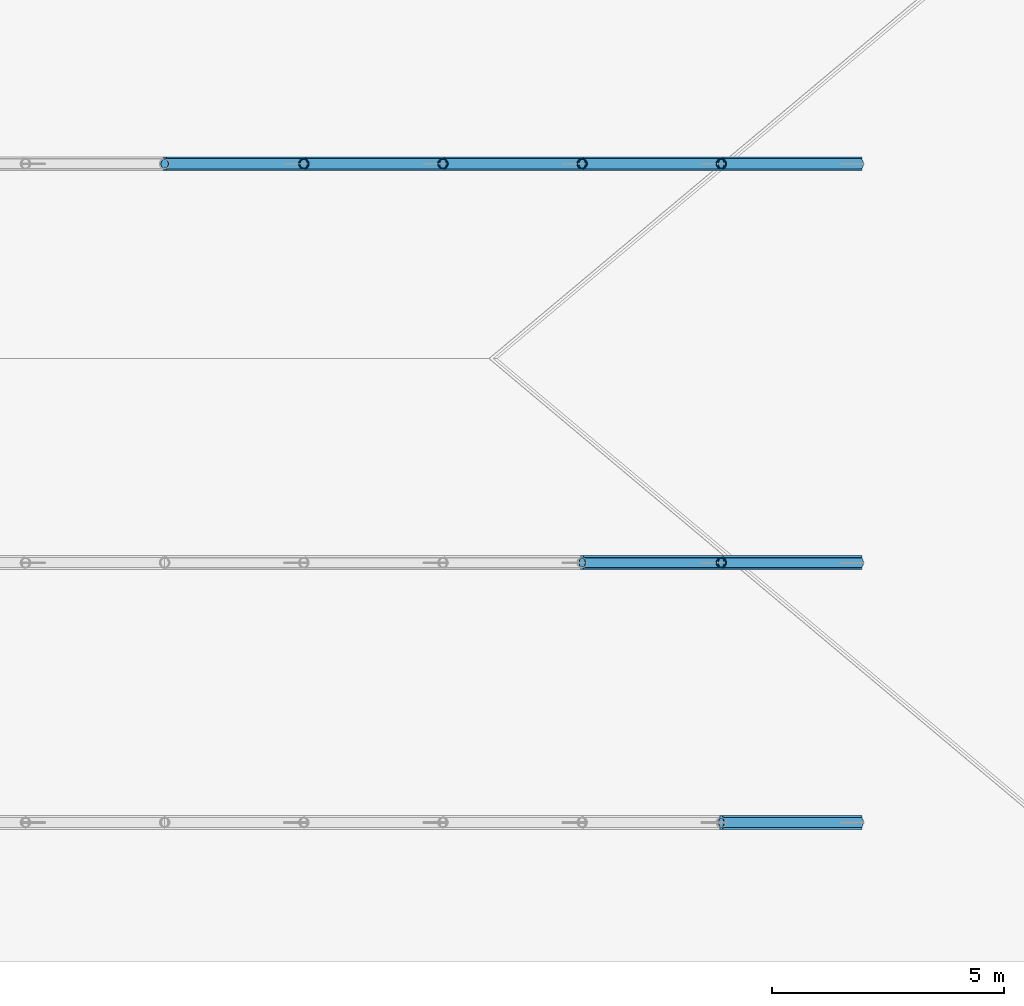
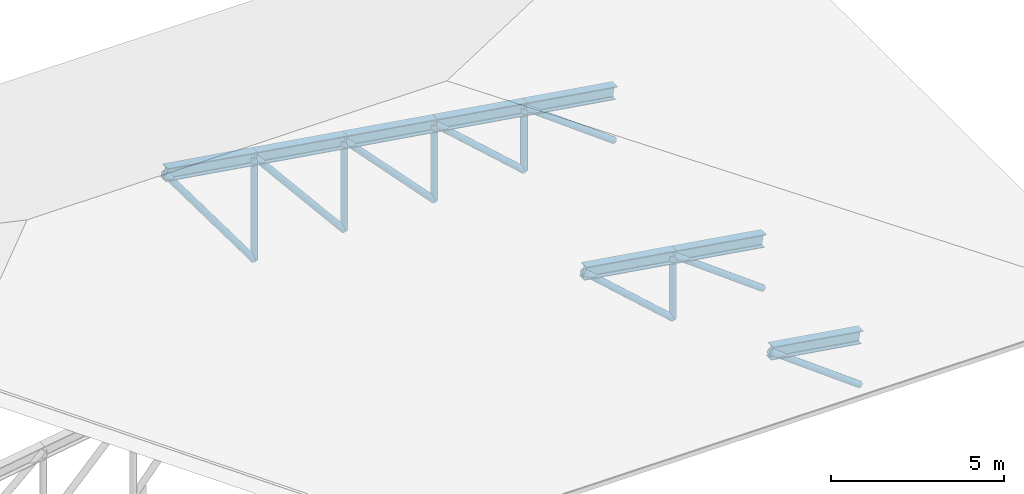
# One storey, part 2 of 6: 21 members.
"""IFC4 building model written with IfcOpenShell, lengths in metres."""

from ifc_helpers import new_model, si_unit, direction, frame, origin, origin_2d, place, context, subcontext, project, spatial, hollow_circle, i_section, extrude, material, material_profile, profile_set, type_object, element, save


model = new_model("IFC4")

# Units and contexts
model_context = context("Model", 3, precision=1e-05, world=origin(), true_north=direction((0.0, 1.0)))
body_context = subcontext(model_context, "Body", "Model", "MODEL_VIEW")
ifc_project = project(units=[si_unit("LENGTHUNIT", "METRE"), si_unit("AREAUNIT", "SQUARE_METRE"), si_unit("VOLUMEUNIT", "CUBIC_METRE"), si_unit("PLANEANGLEUNIT", "RADIAN"), si_unit("MASSUNIT", "GRAM", prefix="KILO")], contexts=[model_context])

# Site, building, storey
site_placement = place(None, origin())
site = spatial("IfcSite", under=ifc_project, at=site_placement, CompositionType="ELEMENT")
building_placement = place(site_placement, origin())
building = spatial("IfcBuilding", under=site, at=building_placement, Name="Muzn Square Opera House", CompositionType="ELEMENT")
storey_placement = place(building_placement, frame((0.0, 0.0, 35.39990234375)))
storey = spatial("IfcBuildingStorey", under=building, at=storey_placement, Name="RF-2", CompositionType="ELEMENT", Elevation=35.39990234375)

# Members
ifc_material = material(Name="Steel S355", Category="steel")
ifc_material_profile_1 = material_profile(ifc_material, i_section(OverallWidth=0.300048828125, OverallDepth=0.449951171875, WebThickness=0.013916015625, FlangeThickness=0.02587890625, FilletRadius=0.027099609375, at=origin_2d()), Name="HEB 450", Category="steel")
ifc_profile_set_1 = profile_set([ifc_material_profile_1], Name="Steel S355")
member_type_1 = type_object("IfcMemberType", Name="Stage Truss Chord HEB450", PredefinedType="CHORD", material=ifc_profile_set_1)
for number, where, z_axis, x_axis, name in (
    (1, (100.0, 75.60009765625, 0.22021484375), (0.987938344144, 0.0, -0.154847758042), (0.0, 1.0, 0.0), "Stage Roof Truss Top Chord T1-9"),
    (2, (97.0, 81.199951171875, 0.690185546875), (0.987950640565, 0.0, -0.154769285733), (0.0, 1.0, 0.0), "Stage Roof Truss Top Chord T2-8"),
    (3, (100.0, 81.199951171875, 0.22021484375), (0.987938344144, 0.0, -0.154847758042), (0.0, 1.0, 0.0), "Stage Roof Truss Top Chord T2-9"),
    (4, (88.0, 89.800048828125, 2.10009765625), (0.987950640565, 0.0, -0.154769285733), (0.0, 1.0, 0.0), "Stage Roof Truss Top Chord T3-5"),
    (5, (91.0, 89.800048828125, 1.630126953125), (0.987950640565, 0.0, -0.154769285733), (0.0, 1.0, 0.0), "Stage Roof Truss Top Chord T3-6"),
    (6, (94.0, 89.800048828125, 1.16015625), (0.987950640565, 0.0, -0.154769285733), (0.0, 1.0, 0.0), "Stage Roof Truss Top Chord T3-7"),
    (7, (97.0, 89.800048828125, 0.690185546875), (0.987950640565, 0.0, -0.154769285733), (0.0, 1.0, 0.0), "Stage Roof Truss Top Chord T3-8"),
    (8, (100.0, 89.800048828125, 0.22021484375), (0.987938344144, 0.0, -0.154847758042), (0.0, 1.0, 0.0), "Stage Roof Truss Top Chord T3-9"),
):
    element("IfcMember", number, at=place(storey_placement, frame(where, z_axis=z_axis, x_axis=x_axis)), inside=storey, type_object=member_type_1, Name=name, PredefinedType="CHORD", context=body_context, shape_type="SweptSolid", body=[
        extrude(i_section(OverallWidth=0.300048828125, OverallDepth=0.449951171875, WebThickness=0.013916015625, FlangeThickness=0.02587890625, FilletRadius=0.027099609375, at=origin_2d()), origin(), (0.0, 0.0, 1.0), 3.03662109375),
    ])
ifc_material_profile_2 = material_profile(ifc_material, hollow_circle(Radius=0.109619140625, WallThickness=0.012451171875, at=origin_2d()), Name="CHS 219.1x12.5", Category="steel")
ifc_profile_set_2 = profile_set([ifc_material_profile_2], Name="Steel S355")
member_type_2 = type_object("IfcMemberType", Name="Stage Truss Diagonal CHS219", PredefinedType="BRACE", material=ifc_profile_set_2)
member_1_placement = place(storey_placement, frame((103.0, 75.60009765625, -2.0), z_axis=(-0.803814373158, 0.0, 0.594880200968), x_axis=(0.0, -1.0, 0.0)))
element("IfcMember", 9, at=member_1_placement, inside=storey, type_object=member_type_2, Name="Stage Roof Truss Web Diagonal T1-9", PredefinedType="BRACE", context=body_context, shape_type="SweptSolid", body=[
    extrude(hollow_circle(Radius=0.109619140625, WallThickness=0.012451171875, at=origin_2d()), origin(), (0.0, 0.0, 1.0), 3.732177734375),
])
member_2_placement = place(storey_placement, frame((100.0, 81.199951171875, -2.0), z_axis=(-0.744504016526, 0.0, 0.667617981616), x_axis=(0.0, -1.0, 0.0)))
element("IfcMember", 10, at=member_2_placement, inside=storey, type_object=member_type_2, Name="Stage Roof Truss Web Diagonal T2-8", PredefinedType="BRACE", context=body_context, shape_type="SweptSolid", body=[
    extrude(hollow_circle(Radius=0.109619140625, WallThickness=0.012451171875, at=origin_2d()), origin(), (0.0, 0.0, 1.0), 4.029541015625),
])
member_3_placement = place(storey_placement, frame((100.0, 81.199951171875, -2.0), z_axis=(0.0, 0.0, 1.0), x_axis=(1.0, 0.0, 0.0)))
element("IfcMember", 11, at=member_3_placement, inside=storey, type_object=member_type_2, Name="Stage Roof Truss Vertical Post T2-9", PredefinedType="BRACE", context=body_context, shape_type="SweptSolid", body=[
    extrude(hollow_circle(Radius=0.109619140625, WallThickness=0.012451171875, at=origin_2d()), origin(), (0.0, 0.0, 1.0), 2.22021484375),
])
member_4_placement = place(storey_placement, frame((103.0, 81.199951171875, -2.0), z_axis=(-0.803814373158, 0.0, 0.594880200968), x_axis=(0.0, -1.0, 0.0)))
element("IfcMember", 12, at=member_4_placement, inside=storey, type_object=member_type_2, Name="Stage Roof Truss Web Diagonal T2-9", PredefinedType="BRACE", context=body_context, shape_type="SweptSolid", body=[
    extrude(hollow_circle(Radius=0.109619140625, WallThickness=0.012451171875, at=origin_2d()), origin(), (0.0, 0.0, 1.0), 3.732177734375),
])
member_5_placement = place(storey_placement, frame((91.0, 89.800048828125, -2.0), z_axis=(-0.590500833905, 0.0, 0.807037028369), x_axis=(0.0, -1.0, 0.0)))
element("IfcMember", 13, at=member_5_placement, inside=storey, type_object=member_type_2, Name="Stage Roof Truss Web Diagonal T3-5", PredefinedType="BRACE", context=body_context, shape_type="SweptSolid", body=[
    extrude(hollow_circle(Radius=0.109619140625, WallThickness=0.012451171875, at=origin_2d()), origin(), (0.0, 0.0, 1.0), 5.080322265625),
])
member_6_placement = place(storey_placement, frame((91.0, 89.800048828125, -2.0), z_axis=(0.0, 0.0, 1.0), x_axis=(1.0, 0.0, 0.0)))
element("IfcMember", 14, at=member_6_placement, inside=storey, type_object=member_type_2, Name="Stage Roof Truss Vertical Post T3-6", PredefinedType="BRACE", context=body_context, shape_type="SweptSolid", body=[
    extrude(hollow_circle(Radius=0.109619140625, WallThickness=0.012451171875, at=origin_2d()), origin(), (0.0, 0.0, 1.0), 3.630126953125),
])
member_7_placement = place(storey_placement, frame((94.0, 89.800048828125, -2.0), z_axis=(-0.63703282461, 0.0, 0.770836675548), x_axis=(0.0, -1.0, 0.0)))
element("IfcMember", 15, at=member_7_placement, inside=storey, type_object=member_type_2, Name="Stage Roof Truss Web Diagonal T3-6", PredefinedType="BRACE", context=body_context, shape_type="SweptSolid", body=[
    extrude(hollow_circle(Radius=0.109619140625, WallThickness=0.012451171875, at=origin_2d()), origin(), (0.0, 0.0, 1.0), 4.709228515625),
])
member_8_placement = place(storey_placement, frame((94.0, 89.800048828125, -2.0), z_axis=(0.0, 0.0, 1.0), x_axis=(1.0, 0.0, 0.0)))
element("IfcMember", 16, at=member_8_placement, inside=storey, type_object=member_type_2, Name="Stage Roof Truss Vertical Post T3-7", PredefinedType="BRACE", context=body_context, shape_type="SweptSolid", body=[
    extrude(hollow_circle(Radius=0.109619140625, WallThickness=0.012451171875, at=origin_2d()), origin(), (0.0, 0.0, 1.0), 3.16015625),
])
member_9_placement = place(storey_placement, frame((97.0, 89.800048828125, -2.0), z_axis=(-0.688490253953, 0.0, 0.725245593031), x_axis=(0.0, -1.0, 0.0)))
element("IfcMember", 17, at=member_9_placement, inside=storey, type_object=member_type_2, Name="Stage Roof Truss Web Diagonal T3-7", PredefinedType="BRACE", context=body_context, shape_type="SweptSolid", body=[
    extrude(hollow_circle(Radius=0.109619140625, WallThickness=0.012451171875, at=origin_2d()), origin(), (0.0, 0.0, 1.0), 4.357421875),
])
member_10_placement = place(storey_placement, frame((97.0, 89.800048828125, -2.0), z_axis=(0.0, 0.0, 1.0), x_axis=(1.0, 0.0, 0.0)))
element("IfcMember", 18, at=member_10_placement, inside=storey, type_object=member_type_2, Name="Stage Roof Truss Vertical Post T3-8", PredefinedType="BRACE", context=body_context, shape_type="SweptSolid", body=[
    extrude(hollow_circle(Radius=0.109619140625, WallThickness=0.012451171875, at=origin_2d()), origin(), (0.0, 0.0, 1.0), 2.690185546875),
])
member_11_placement = place(storey_placement, frame((100.0, 89.800048828125, -2.0), z_axis=(-0.744504016526, 0.0, 0.667617981616), x_axis=(0.0, -1.0, 0.0)))
element("IfcMember", 19, at=member_11_placement, inside=storey, type_object=member_type_2, Name="Stage Roof Truss Web Diagonal T3-8", PredefinedType="BRACE", context=body_context, shape_type="SweptSolid", body=[
    extrude(hollow_circle(Radius=0.109619140625, WallThickness=0.012451171875, at=origin_2d()), origin(), (0.0, 0.0, 1.0), 4.029541015625),
])
member_12_placement = place(storey_placement, frame((100.0, 89.800048828125, -2.0), z_axis=(0.0, 0.0, 1.0), x_axis=(1.0, 0.0, 0.0)))
element("IfcMember", 20, at=member_12_placement, inside=storey, type_object=member_type_2, Name="Stage Roof Truss Vertical Post T3-9", PredefinedType="BRACE", context=body_context, shape_type="SweptSolid", body=[
    extrude(hollow_circle(Radius=0.109619140625, WallThickness=0.012451171875, at=origin_2d()), origin(), (0.0, 0.0, 1.0), 2.22021484375),
])
member_13_placement = place(storey_placement, frame((103.0, 89.800048828125, -2.0), z_axis=(-0.803814373158, 0.0, 0.594880200968), x_axis=(0.0, -1.0, 0.0)))
element("IfcMember", 21, at=member_13_placement, inside=storey, type_object=member_type_2, Name="Stage Roof Truss Web Diagonal T3-9", PredefinedType="BRACE", context=body_context, shape_type="SweptSolid", body=[
    extrude(hollow_circle(Radius=0.109619140625, WallThickness=0.012451171875, at=origin_2d()), origin(), (0.0, 0.0, 1.0), 3.732177734375),
])

save(model, "model.ifc")
